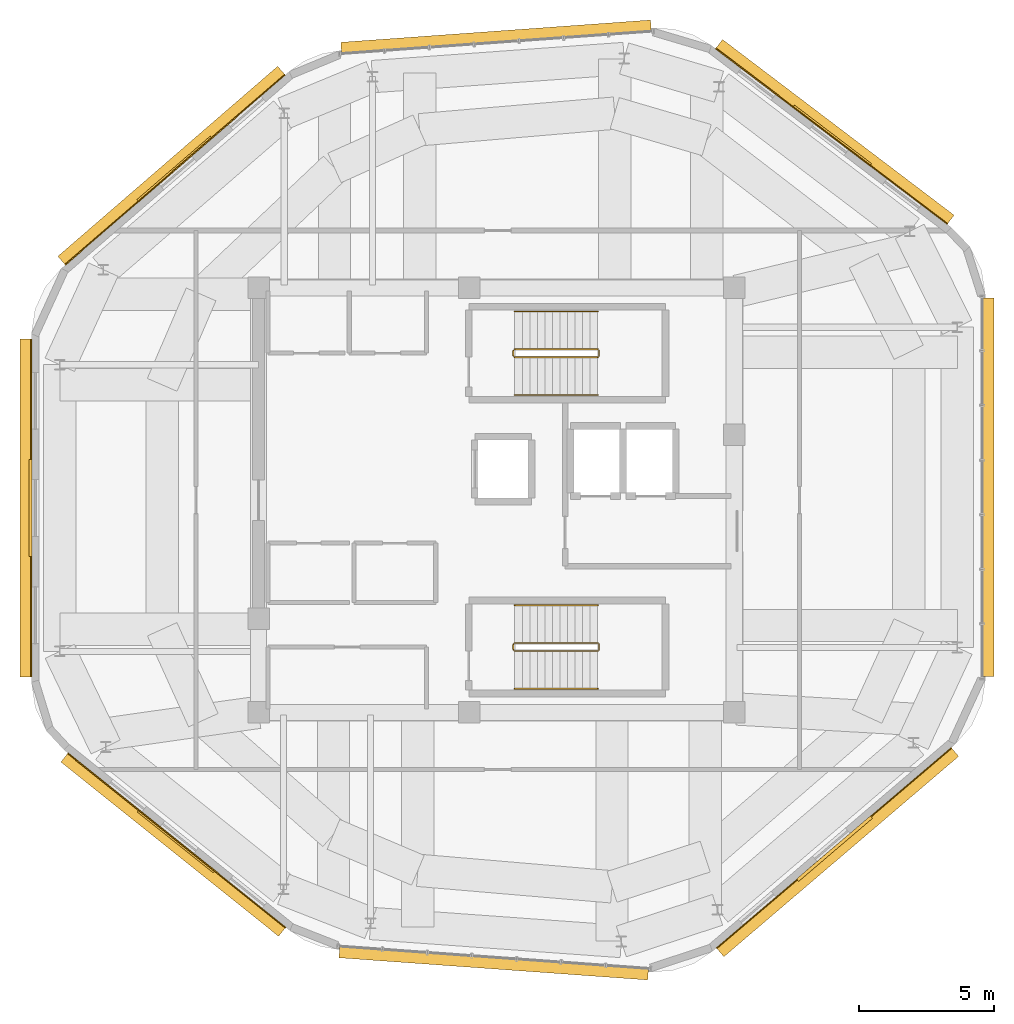
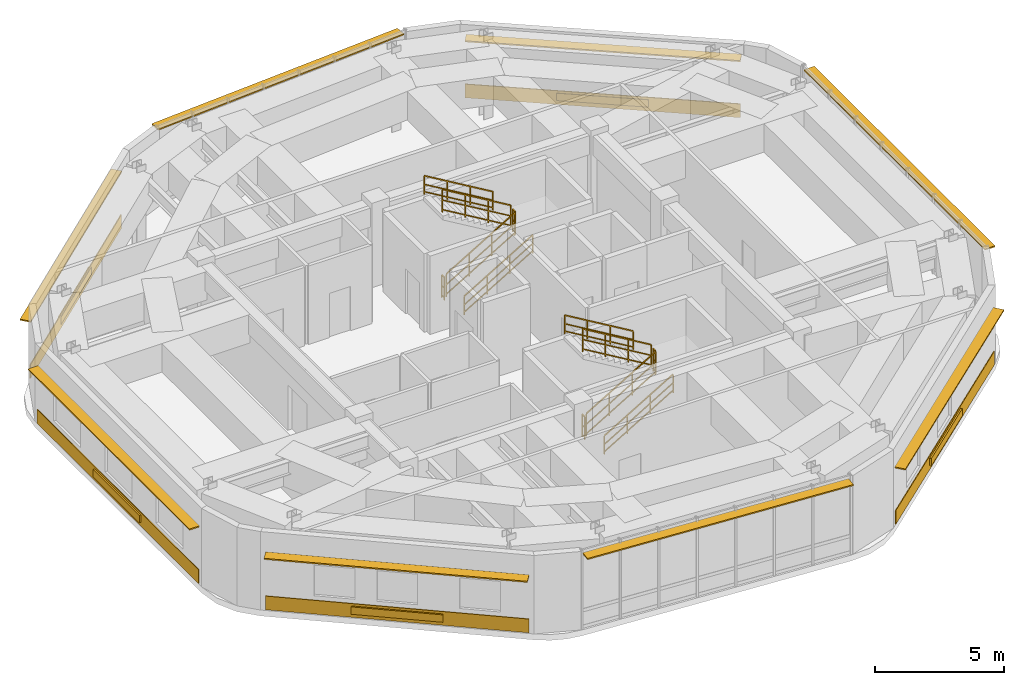
# One storey, part 12 of 12: 13 shading devices, 12 railings, 5 coverings.
"""IFC4 building model written with IfcOpenShell, lengths in metres."""

from ifc_helpers import new_model, si_unit, direction, frame, origin, origin_2d, place, context, subcontext, project, spatial, rectangle, extrude, material, layer, layer_set, type_object, element, save


model = new_model("IFC4")

# Units and contexts
model_context = context("Model", 3, precision=1e-05, world=origin(), true_north=direction((0.0, 1.0)))
body_context = subcontext(model_context, "Body", "Model", "MODEL_VIEW")
ifc_project = project(units=[si_unit("LENGTHUNIT", "METRE"), si_unit("AREAUNIT", "SQUARE_METRE"), si_unit("VOLUMEUNIT", "CUBIC_METRE"), si_unit("PLANEANGLEUNIT", "RADIAN"), si_unit("MASSUNIT", "GRAM", prefix="KILO")], contexts=[model_context])

# Site, building, storey
site_placement = place(None, origin())
site = spatial("IfcSite", under=ifc_project, at=site_placement, CompositionType="ELEMENT")
building_placement = place(site_placement, origin())
building = spatial("IfcBuilding", under=site, at=building_placement, Name="Zulverin Broadcast Headquarters", CompositionType="ELEMENT")
storey_placement = place(building_placement, frame((0.0, 0.0, 325.39990234375)))
storey = spatial("IfcBuildingStorey", under=building, at=storey_placement, Name="C4", CompositionType="ELEMENT", Elevation=325.39990234375)

# Coverings
ifc_material_1 = material(Name="Brushed pale-aluminium rainscreen cladding", Category="aluminium")
ifc_layer_1 = layer(ifc_material_1, 0.0400390625, Name="Brushed pale-aluminium rainscreen cladding", Category="aluminium")
ifc_layer_set_1 = layer_set([ifc_layer_1], Name="Brushed pale-aluminium rainscreen cladding")
covering_type = type_object("IfcCoveringType", Name="COV-CLAD-PALE", PredefinedType="CLADDING", material=ifc_layer_set_1)
covering_1_placement = place(storey_placement, frame((51.976318359375, 12.291259765625, 0.05517578125), z_axis=(0.0, 0.0, 1.0), x_axis=(0.760640550609, 0.649173284085, 0.0)))
element("IfcCovering", 1, at=covering_1_placement, inside=storey, type_object=covering_type, Name="C4 Brushed Pale-Aluminium Spandrel Cladding 2", PredefinedType="CLADDING", context=body_context, shape_type="SweptSolid", body=[
    extrude(rectangle(XDim=11.451904296875, YDim=0.0400390625, at=origin_2d()), origin(), (0.0, 0.0, 1.0), 0.64990234375),
])
covering_2_placement = place(storey_placement, frame((51.885498046875, 38.69970703125, 0.05517578125), z_axis=(0.0, 0.0, 1.0), x_axis=(-0.796691338975, 0.604386391643, 0.0)))
element("IfcCovering", 2, at=covering_2_placement, inside=storey, type_object=covering_type, Name="C4 Brushed Pale-Aluminium Spandrel Cladding 4", PredefinedType="CLADDING", context=body_context, shape_type="SweptSolid", body=[
    extrude(rectangle(XDim=10.78271484375, YDim=0.0400390625, at=origin_2d()), origin(), (0.0, 0.0, 1.0), 0.64990234375),
])
covering_3_placement = place(storey_placement, frame((27.529296875, 37.456787109375, 0.05517578125), z_axis=(0.0, 0.0, 1.0), x_axis=(-0.756470212057, -0.65402814792, 0.0)))
element("IfcCovering", 3, at=covering_3_placement, inside=storey, type_object=covering_type, Name="C4 Brushed Pale-Aluminium Spandrel Cladding 6", PredefinedType="CLADDING", context=body_context, shape_type="SweptSolid", body=[
    extrude(rectangle(XDim=10.77978515625, YDim=0.0400390625, at=origin_2d()), origin(), (0.0, 0.0, 1.0), 0.64990234375),
])
covering_4_placement = place(storey_placement, frame((22.18994140625, 24.90478515625, 0.05517578125), z_axis=(0.0, 0.0, 1.0), x_axis=(0.0, -1.0, 0.0)))
element("IfcCovering", 4, at=covering_4_placement, inside=storey, type_object=covering_type, Name="C4 Brushed Pale-Aluminium Spandrel Cladding 7", PredefinedType="CLADDING", context=body_context, shape_type="SweptSolid", body=[
    extrude(rectangle(XDim=12.53515625, YDim=0.0400390625, at=origin_2d()), origin(), (0.0, 0.0, 1.0), 0.64990234375),
])
covering_5_placement = place(storey_placement, frame((27.58935546875, 12.572998046875, 0.05517578125), z_axis=(0.0, 0.0, 1.0), x_axis=(0.780663881317, -0.624951121615, 0.0)))
element("IfcCovering", 5, at=covering_5_placement, inside=storey, type_object=covering_type, Name="C4 Brushed Pale-Aluminium Spandrel Cladding 8", PredefinedType="CLADDING", context=body_context, shape_type="SweptSolid", body=[
    extrude(rectangle(XDim=10.347900390625, YDim=0.0400390625, at=origin_2d()), origin(), (0.0, 0.0, 1.0), 0.64990234375),
])

# Railings
ifc_material_2 = material(Name="Painted galvanized steel tubular guardrail S355JR", Category="steel")
railing_type_1 = type_object("IfcRailingType", Name="RL-ST-GUARD", PredefinedType="GUARDRAIL", material=ifc_material_2)
railing_1_placement = place(storey_placement, frame((40.1298828125, 30.5, 0.166748046875)))
element("IfcRailing", 6, at=railing_1_placement, inside=storey, type_object=railing_type_1, Name="C4 ST-1 stair guard 1", PredefinedType="GUARDRAIL", context=body_context, shape_type="SweptSolid", body=[
    extrude(rectangle(XDim=0.048095703125, YDim=0.048095703125, at=origin_2d()), frame((0.0, 0.0, 1.076171875), z_axis=(0.859308565015, 0.0, 0.511457515432), x_axis=(0.0, 1.0, 0.0)), (0.0, 0.0, 1.0), 3.58447265625),
    extrude(rectangle(XDim=0.0419921875, YDim=0.0419921875, at=origin_2d()), frame((0.0, 0.0, 0.572021484375), z_axis=(0.859308565015, 0.0, 0.511457515432), x_axis=(0.0, 1.0, 0.0)), (0.0, 0.0, 1.0), 3.58447265625),
    extrude(rectangle(XDim=0.0419921875, YDim=0.0419921875, at=origin_2d()), frame((0.0, 0.0, 0.1201171875), z_axis=(0.859308565015, 0.0, 0.511457515432), x_axis=(0.0, 1.0, 0.0)), (0.0, 0.0, 1.0), 3.58447265625),
    extrude(rectangle(XDim=0.0419921875, YDim=0.0419921875, at=origin_2d()), origin(), (0.0, 0.0, 1.0), 1.052001953125),
    extrude(rectangle(XDim=0.0419921875, YDim=0.0419921875, at=origin_2d()), frame((1.026611328125, 0.0, 0.611083984375)), (0.0, 0.0, 1.0), 1.052001953125),
    extrude(rectangle(XDim=0.0419921875, YDim=0.0419921875, at=origin_2d()), frame((2.053466796875, 0.0, 1.22216796875)), (0.0, 0.0, 1.0), 1.052001953125),
    extrude(rectangle(XDim=0.0419921875, YDim=0.0419921875, at=origin_2d()), frame((3.080078125, 0.0, 1.833251953125)), (0.0, 0.0, 1.0), 1.052001953125),
])
railing_2_placement = place(storey_placement, frame((43.260009765625, 30.550048828125, 2.0)))
element("IfcRailing", 7, at=railing_2_placement, inside=storey, type_object=railing_type_1, Name="C4 ST-1 stair guard 2", PredefinedType="GUARDRAIL", context=body_context, shape_type="SweptSolid", body=[
    extrude(rectangle(XDim=0.048095703125, YDim=0.048095703125, at=origin_2d()), frame((0.0, 0.0, 1.076171875), z_axis=(0.0, 1.0, 0.0), x_axis=(-1.0, 0.0, 0.0)), (0.0, 0.0, 1.0), 0.199951171875),
    extrude(rectangle(XDim=0.0419921875, YDim=0.0419921875, at=origin_2d()), frame((0.0, 0.0, 0.572021484375), z_axis=(0.0, 1.0, 0.0), x_axis=(-1.0, 0.0, 0.0)), (0.0, 0.0, 1.0), 0.199951171875),
    extrude(rectangle(XDim=0.0419921875, YDim=0.0419921875, at=origin_2d()), frame((0.0, 0.0, 0.1201171875), z_axis=(0.0, 1.0, 0.0), x_axis=(-1.0, 0.0, 0.0)), (0.0, 0.0, 1.0), 0.199951171875),
    extrude(rectangle(XDim=0.0419921875, YDim=0.0419921875, at=origin_2d()), origin(), (0.0, 0.0, 1.0), 1.052001953125),
    extrude(rectangle(XDim=0.0419921875, YDim=0.0419921875, at=origin_2d()), frame((0.0, 0.199951171875, 0.0)), (0.0, 0.0, 1.0), 1.052001953125),
])
railing_3_placement = place(storey_placement, frame((43.2099609375, 30.800048828125, 2.166748046875)))
element("IfcRailing", 8, at=railing_3_placement, inside=storey, type_object=railing_type_1, Name="C4 ST-1 stair guard 3", PredefinedType="GUARDRAIL", context=body_context, shape_type="SweptSolid", body=[
    extrude(rectangle(XDim=0.048095703125, YDim=0.048095703125, at=origin_2d()), frame((0.0, 0.0, 1.076171875), z_axis=(-0.859308565015, 0.0, 0.511457515432), x_axis=(0.0, -1.0, 0.0)), (0.0, 0.0, 1.0), 3.58447265625),
    extrude(rectangle(XDim=0.0419921875, YDim=0.0419921875, at=origin_2d()), frame((0.0, 0.0, 0.572021484375), z_axis=(-0.859308565015, 0.0, 0.511457515432), x_axis=(0.0, -1.0, 0.0)), (0.0, 0.0, 1.0), 3.58447265625),
    extrude(rectangle(XDim=0.0419921875, YDim=0.0419921875, at=origin_2d()), frame((0.0, 0.0, 0.1201171875), z_axis=(-0.859308565015, 0.0, 0.511457515432), x_axis=(0.0, -1.0, 0.0)), (0.0, 0.0, 1.0), 3.58447265625),
    extrude(rectangle(XDim=0.0419921875, YDim=0.0419921875, at=origin_2d()), origin(), (0.0, 0.0, 1.0), 1.052001953125),
    extrude(rectangle(XDim=0.0419921875, YDim=0.0419921875, at=origin_2d()), frame((-1.026611328125, 0.0, 0.611083984375)), (0.0, 0.0, 1.0), 1.052001953125),
    extrude(rectangle(XDim=0.0419921875, YDim=0.0419921875, at=origin_2d()), frame((-2.053466796875, 0.0, 1.22216796875)), (0.0, 0.0, 1.0), 1.052001953125),
    extrude(rectangle(XDim=0.0419921875, YDim=0.0419921875, at=origin_2d()), frame((-3.080078125, 0.0, 1.833251953125)), (0.0, 0.0, 1.0), 1.052001953125),
])
railing_4_placement = place(storey_placement, frame((40.080078125, 30.550048828125, 0.0)))
element("IfcRailing", 9, at=railing_4_placement, inside=storey, type_object=railing_type_1, Name="C4 ST-1 stair guard 4", PredefinedType="GUARDRAIL", context=body_context, shape_type="SweptSolid", body=[
    extrude(rectangle(XDim=0.048095703125, YDim=0.048095703125, at=origin_2d()), frame((0.0, 0.0, 1.076171875), z_axis=(0.0, 1.0, 0.0), x_axis=(-1.0, 0.0, 0.0)), (0.0, 0.0, 1.0), 0.199951171875),
    extrude(rectangle(XDim=0.0419921875, YDim=0.0419921875, at=origin_2d()), frame((0.0, 0.0, 0.572021484375), z_axis=(0.0, 1.0, 0.0), x_axis=(-1.0, 0.0, 0.0)), (0.0, 0.0, 1.0), 0.199951171875),
    extrude(rectangle(XDim=0.0419921875, YDim=0.0419921875, at=origin_2d()), frame((0.0, 0.0, 0.1201171875), z_axis=(0.0, 1.0, 0.0), x_axis=(-1.0, 0.0, 0.0)), (0.0, 0.0, 1.0), 0.199951171875),
    extrude(rectangle(XDim=0.0419921875, YDim=0.0419921875, at=origin_2d()), origin(), (0.0, 0.0, 1.0), 1.052001953125),
    extrude(rectangle(XDim=0.0419921875, YDim=0.0419921875, at=origin_2d()), frame((0.0, 0.199951171875, 0.0)), (0.0, 0.0, 1.0), 1.052001953125),
])
railing_5_placement = place(storey_placement, frame((40.1298828125, 19.60009765625, 0.166748046875)))
element("IfcRailing", 10, at=railing_5_placement, inside=storey, type_object=railing_type_1, Name="C4 ST-2 stair guard 1", PredefinedType="GUARDRAIL", context=body_context, shape_type="SweptSolid", body=[
    extrude(rectangle(XDim=0.048095703125, YDim=0.048095703125, at=origin_2d()), frame((0.0, 0.0, 1.076171875), z_axis=(0.859308565015, 0.0, 0.511457515432), x_axis=(0.0, 1.0, 0.0)), (0.0, 0.0, 1.0), 3.58447265625),
    extrude(rectangle(XDim=0.0419921875, YDim=0.0419921875, at=origin_2d()), frame((0.0, 0.0, 0.572021484375), z_axis=(0.859308565015, 0.0, 0.511457515432), x_axis=(0.0, 1.0, 0.0)), (0.0, 0.0, 1.0), 3.58447265625),
    extrude(rectangle(XDim=0.0419921875, YDim=0.0419921875, at=origin_2d()), frame((0.0, 0.0, 0.1201171875), z_axis=(0.859308565015, 0.0, 0.511457515432), x_axis=(0.0, 1.0, 0.0)), (0.0, 0.0, 1.0), 3.58447265625),
    extrude(rectangle(XDim=0.0419921875, YDim=0.0419921875, at=origin_2d()), origin(), (0.0, 0.0, 1.0), 1.052001953125),
    extrude(rectangle(XDim=0.0419921875, YDim=0.0419921875, at=origin_2d()), frame((1.026611328125, 0.0, 0.611083984375)), (0.0, 0.0, 1.0), 1.052001953125),
    extrude(rectangle(XDim=0.0419921875, YDim=0.0419921875, at=origin_2d()), frame((2.053466796875, 0.0, 1.22216796875)), (0.0, 0.0, 1.0), 1.052001953125),
    extrude(rectangle(XDim=0.0419921875, YDim=0.0419921875, at=origin_2d()), frame((3.080078125, 0.0, 1.833251953125)), (0.0, 0.0, 1.0), 1.052001953125),
])
railing_6_placement = place(storey_placement, frame((43.260009765625, 19.64990234375, 2.0)))
element("IfcRailing", 11, at=railing_6_placement, inside=storey, type_object=railing_type_1, Name="C4 ST-2 stair guard 2", PredefinedType="GUARDRAIL", context=body_context, shape_type="SweptSolid", body=[
    extrude(rectangle(XDim=0.048095703125, YDim=0.048095703125, at=origin_2d()), frame((0.0, 0.0, 1.076171875), z_axis=(0.0, 1.0, 0.0), x_axis=(-1.0, 0.0, 0.0)), (0.0, 0.0, 1.0), 0.2001953125),
    extrude(rectangle(XDim=0.0419921875, YDim=0.0419921875, at=origin_2d()), frame((0.0, 0.0, 0.572021484375), z_axis=(0.0, 1.0, 0.0), x_axis=(-1.0, 0.0, 0.0)), (0.0, 0.0, 1.0), 0.2001953125),
    extrude(rectangle(XDim=0.0419921875, YDim=0.0419921875, at=origin_2d()), frame((0.0, 0.0, 0.1201171875), z_axis=(0.0, 1.0, 0.0), x_axis=(-1.0, 0.0, 0.0)), (0.0, 0.0, 1.0), 0.2001953125),
    extrude(rectangle(XDim=0.0419921875, YDim=0.0419921875, at=origin_2d()), origin(), (0.0, 0.0, 1.0), 1.052001953125),
    extrude(rectangle(XDim=0.0419921875, YDim=0.0419921875, at=origin_2d()), frame((0.0, 0.2001953125, 0.0)), (0.0, 0.0, 1.0), 1.052001953125),
])
railing_7_placement = place(storey_placement, frame((43.2099609375, 19.89990234375, 2.166748046875)))
element("IfcRailing", 12, at=railing_7_placement, inside=storey, type_object=railing_type_1, Name="C4 ST-2 stair guard 3", PredefinedType="GUARDRAIL", context=body_context, shape_type="SweptSolid", body=[
    extrude(rectangle(XDim=0.048095703125, YDim=0.048095703125, at=origin_2d()), frame((0.0, 0.0, 1.076171875), z_axis=(-0.859308565015, 0.0, 0.511457515432), x_axis=(0.0, -1.0, 0.0)), (0.0, 0.0, 1.0), 3.58447265625),
    extrude(rectangle(XDim=0.0419921875, YDim=0.0419921875, at=origin_2d()), frame((0.0, 0.0, 0.572021484375), z_axis=(-0.859308565015, 0.0, 0.511457515432), x_axis=(0.0, -1.0, 0.0)), (0.0, 0.0, 1.0), 3.58447265625),
    extrude(rectangle(XDim=0.0419921875, YDim=0.0419921875, at=origin_2d()), frame((0.0, 0.0, 0.1201171875), z_axis=(-0.859308565015, 0.0, 0.511457515432), x_axis=(0.0, -1.0, 0.0)), (0.0, 0.0, 1.0), 3.58447265625),
    extrude(rectangle(XDim=0.0419921875, YDim=0.0419921875, at=origin_2d()), origin(), (0.0, 0.0, 1.0), 1.052001953125),
    extrude(rectangle(XDim=0.0419921875, YDim=0.0419921875, at=origin_2d()), frame((-1.026611328125, 0.0, 0.611083984375)), (0.0, 0.0, 1.0), 1.052001953125),
    extrude(rectangle(XDim=0.0419921875, YDim=0.0419921875, at=origin_2d()), frame((-2.053466796875, 0.0, 1.22216796875)), (0.0, 0.0, 1.0), 1.052001953125),
    extrude(rectangle(XDim=0.0419921875, YDim=0.0419921875, at=origin_2d()), frame((-3.080078125, 0.0, 1.833251953125)), (0.0, 0.0, 1.0), 1.052001953125),
])
railing_8_placement = place(storey_placement, frame((40.080078125, 19.64990234375, 0.0)))
element("IfcRailing", 13, at=railing_8_placement, inside=storey, type_object=railing_type_1, Name="C4 ST-2 stair guard 4", PredefinedType="GUARDRAIL", context=body_context, shape_type="SweptSolid", body=[
    extrude(rectangle(XDim=0.048095703125, YDim=0.048095703125, at=origin_2d()), frame((0.0, 0.0, 1.076171875), z_axis=(0.0, 1.0, 0.0), x_axis=(-1.0, 0.0, 0.0)), (0.0, 0.0, 1.0), 0.2001953125),
    extrude(rectangle(XDim=0.0419921875, YDim=0.0419921875, at=origin_2d()), frame((0.0, 0.0, 0.572021484375), z_axis=(0.0, 1.0, 0.0), x_axis=(-1.0, 0.0, 0.0)), (0.0, 0.0, 1.0), 0.2001953125),
    extrude(rectangle(XDim=0.0419921875, YDim=0.0419921875, at=origin_2d()), frame((0.0, 0.0, 0.1201171875), z_axis=(0.0, 1.0, 0.0), x_axis=(-1.0, 0.0, 0.0)), (0.0, 0.0, 1.0), 0.2001953125),
    extrude(rectangle(XDim=0.0419921875, YDim=0.0419921875, at=origin_2d()), origin(), (0.0, 0.0, 1.0), 1.052001953125),
    extrude(rectangle(XDim=0.0419921875, YDim=0.0419921875, at=origin_2d()), frame((0.0, 0.2001953125, 0.0)), (0.0, 0.0, 1.0), 1.052001953125),
])
ifc_material_3 = material(Name="Brushed stainless steel 48 mm handrail", Category="steel")
railing_type_2 = type_object("IfcRailingType", Name="RL-ST-HAND", PredefinedType="HANDRAIL", material=ifc_material_3)
railing_9_placement = place(storey_placement, frame((40.1298828125, 29.10009765625, 0.166748046875)))
element("IfcRailing", 14, at=railing_9_placement, inside=storey, type_object=railing_type_2, Name="C4 ST-1 stair handrail 1", PredefinedType="HANDRAIL", context=body_context, shape_type="SweptSolid", body=[
    extrude(rectangle(XDim=0.048095703125, YDim=0.048095703125, at=origin_2d()), frame((0.0, 0.0, 0.8759765625), z_axis=(0.859308565015, 0.0, 0.511457515432), x_axis=(0.0, 1.0, 0.0)), (0.0, 0.0, 1.0), 3.58447265625),
    extrude(rectangle(XDim=0.0419921875, YDim=0.0419921875, at=origin_2d()), frame((0.0, 0.0, 0.468017578125), z_axis=(0.859308565015, 0.0, 0.511457515432), x_axis=(0.0, 1.0, 0.0)), (0.0, 0.0, 1.0), 3.58447265625),
    extrude(rectangle(XDim=0.0419921875, YDim=0.0419921875, at=origin_2d()), frame((0.0, 0.0, 0.1201171875), z_axis=(0.859308565015, 0.0, 0.511457515432), x_axis=(0.0, 1.0, 0.0)), (0.0, 0.0, 1.0), 3.58447265625),
    extrude(rectangle(XDim=0.0419921875, YDim=0.0419921875, at=origin_2d()), origin(), (0.0, 0.0, 1.0), 0.851806640625),
    extrude(rectangle(XDim=0.0419921875, YDim=0.0419921875, at=origin_2d()), frame((1.026611328125, 0.0, 0.611083984375)), (0.0, 0.0, 1.0), 0.851806640625),
    extrude(rectangle(XDim=0.0419921875, YDim=0.0419921875, at=origin_2d()), frame((2.053466796875, 0.0, 1.22216796875)), (0.0, 0.0, 1.0), 0.851806640625),
    extrude(rectangle(XDim=0.0419921875, YDim=0.0419921875, at=origin_2d()), frame((3.080078125, 0.0, 1.833251953125)), (0.0, 0.0, 1.0), 0.851806640625),
])
railing_10_placement = place(storey_placement, frame((43.2099609375, 32.199951171875, 2.166748046875)))
element("IfcRailing", 15, at=railing_10_placement, inside=storey, type_object=railing_type_2, Name="C4 ST-1 stair handrail 2", PredefinedType="HANDRAIL", context=body_context, shape_type="SweptSolid", body=[
    extrude(rectangle(XDim=0.048095703125, YDim=0.048095703125, at=origin_2d()), frame((0.0, 0.0, 0.8759765625), z_axis=(-0.859308565015, 0.0, 0.511457515432), x_axis=(0.0, -1.0, 0.0)), (0.0, 0.0, 1.0), 3.58447265625),
    extrude(rectangle(XDim=0.0419921875, YDim=0.0419921875, at=origin_2d()), frame((0.0, 0.0, 0.468017578125), z_axis=(-0.859308565015, 0.0, 0.511457515432), x_axis=(0.0, -1.0, 0.0)), (0.0, 0.0, 1.0), 3.58447265625),
    extrude(rectangle(XDim=0.0419921875, YDim=0.0419921875, at=origin_2d()), frame((0.0, 0.0, 0.1201171875), z_axis=(-0.859308565015, 0.0, 0.511457515432), x_axis=(0.0, -1.0, 0.0)), (0.0, 0.0, 1.0), 3.58447265625),
    extrude(rectangle(XDim=0.0419921875, YDim=0.0419921875, at=origin_2d()), origin(), (0.0, 0.0, 1.0), 0.851806640625),
    extrude(rectangle(XDim=0.0419921875, YDim=0.0419921875, at=origin_2d()), frame((-1.026611328125, 0.0, 0.611083984375)), (0.0, 0.0, 1.0), 0.851806640625),
    extrude(rectangle(XDim=0.0419921875, YDim=0.0419921875, at=origin_2d()), frame((-2.053466796875, 0.0, 1.22216796875)), (0.0, 0.0, 1.0), 0.851806640625),
    extrude(rectangle(XDim=0.0419921875, YDim=0.0419921875, at=origin_2d()), frame((-3.080078125, 0.0, 1.833251953125)), (0.0, 0.0, 1.0), 0.851806640625),
])
railing_11_placement = place(storey_placement, frame((40.1298828125, 18.199951171875, 0.166748046875)))
element("IfcRailing", 16, at=railing_11_placement, inside=storey, type_object=railing_type_2, Name="C4 ST-2 stair handrail 1", PredefinedType="HANDRAIL", context=body_context, shape_type="SweptSolid", body=[
    extrude(rectangle(XDim=0.048095703125, YDim=0.048095703125, at=origin_2d()), frame((0.0, 0.0, 0.8759765625), z_axis=(0.859308565015, 0.0, 0.511457515432), x_axis=(0.0, 1.0, 0.0)), (0.0, 0.0, 1.0), 3.58447265625),
    extrude(rectangle(XDim=0.0419921875, YDim=0.0419921875, at=origin_2d()), frame((0.0, 0.0, 0.468017578125), z_axis=(0.859308565015, 0.0, 0.511457515432), x_axis=(0.0, 1.0, 0.0)), (0.0, 0.0, 1.0), 3.58447265625),
    extrude(rectangle(XDim=0.0419921875, YDim=0.0419921875, at=origin_2d()), frame((0.0, 0.0, 0.1201171875), z_axis=(0.859308565015, 0.0, 0.511457515432), x_axis=(0.0, 1.0, 0.0)), (0.0, 0.0, 1.0), 3.58447265625),
    extrude(rectangle(XDim=0.0419921875, YDim=0.0419921875, at=origin_2d()), origin(), (0.0, 0.0, 1.0), 0.851806640625),
    extrude(rectangle(XDim=0.0419921875, YDim=0.0419921875, at=origin_2d()), frame((1.026611328125, 0.0, 0.611083984375)), (0.0, 0.0, 1.0), 0.851806640625),
    extrude(rectangle(XDim=0.0419921875, YDim=0.0419921875, at=origin_2d()), frame((2.053466796875, 0.0, 1.22216796875)), (0.0, 0.0, 1.0), 0.851806640625),
    extrude(rectangle(XDim=0.0419921875, YDim=0.0419921875, at=origin_2d()), frame((3.080078125, 0.0, 1.833251953125)), (0.0, 0.0, 1.0), 0.851806640625),
])
railing_12_placement = place(storey_placement, frame((43.2099609375, 21.300048828125, 2.166748046875)))
element("IfcRailing", 17, at=railing_12_placement, inside=storey, type_object=railing_type_2, Name="C4 ST-2 stair handrail 2", PredefinedType="HANDRAIL", context=body_context, shape_type="SweptSolid", body=[
    extrude(rectangle(XDim=0.048095703125, YDim=0.048095703125, at=origin_2d()), frame((0.0, 0.0, 0.8759765625), z_axis=(-0.859308565015, 0.0, 0.511457515432), x_axis=(0.0, -1.0, 0.0)), (0.0, 0.0, 1.0), 3.58447265625),
    extrude(rectangle(XDim=0.0419921875, YDim=0.0419921875, at=origin_2d()), frame((0.0, 0.0, 0.468017578125), z_axis=(-0.859308565015, 0.0, 0.511457515432), x_axis=(0.0, -1.0, 0.0)), (0.0, 0.0, 1.0), 3.58447265625),
    extrude(rectangle(XDim=0.0419921875, YDim=0.0419921875, at=origin_2d()), frame((0.0, 0.0, 0.1201171875), z_axis=(-0.859308565015, 0.0, 0.511457515432), x_axis=(0.0, -1.0, 0.0)), (0.0, 0.0, 1.0), 3.58447265625),
    extrude(rectangle(XDim=0.0419921875, YDim=0.0419921875, at=origin_2d()), origin(), (0.0, 0.0, 1.0), 0.851806640625),
    extrude(rectangle(XDim=0.0419921875, YDim=0.0419921875, at=origin_2d()), frame((-1.026611328125, 0.0, 0.611083984375)), (0.0, 0.0, 1.0), 0.851806640625),
    extrude(rectangle(XDim=0.0419921875, YDim=0.0419921875, at=origin_2d()), frame((-2.053466796875, 0.0, 1.22216796875)), (0.0, 0.0, 1.0), 0.851806640625),
    extrude(rectangle(XDim=0.0419921875, YDim=0.0419921875, at=origin_2d()), frame((-3.080078125, 0.0, 1.833251953125)), (0.0, 0.0, 1.0), 0.851806640625),
])

# Shading devices
ifc_material_4 = material(Name="Anodized pale-metal aluminium acoustic louvre", Category="aluminium")
shading_device_type_1 = type_object("IfcShadingDeviceType", Name="SHD-LOUVRE-350", PredefinedType="USERDEFINED", material=ifc_material_4)
for number, where, z_axis, x_axis, name in (
    (18, (51.99560546875, 12.2685546875, 0.2451171875), (0.0, 0.0, 1.0), (0.760640550609, 0.649173284085, 0.0), "C4 Spandrel Intake Louvre 2"),
    (19, (51.903564453125, 38.7236328125, 0.2451171875), (0.0, 0.0, 1.0), (-0.796691338975, 0.604386391643, 0.0), "C4 Spandrel Intake Louvre 4"),
    (20, (27.509521484375, 37.4794921875, 0.2451171875), (0.0, 0.0, 1.0), (-0.756470212057, -0.65402814792, 0.0), "C4 Spandrel Intake Louvre 6"),
    (21, (22.159912109375, 24.90478515625, 0.2451171875), (0.0, 0.0, 1.0), (0.0, -1.0, 0.0), "C4 Spandrel Intake Louvre 7"),
    (22, (27.570556640625, 12.549560546875, 0.2451171875), (0.0, 0.0, 1.0), (0.780663881317, -0.624951121615, 0.0), "C4 Spandrel Intake Louvre 8"),
):
    element("IfcShadingDevice", number, at=place(storey_placement, frame(where, z_axis=z_axis, x_axis=x_axis)), inside=storey, type_object=shading_device_type_1, Name=name, ObjectType="LOUVRE", PredefinedType="USERDEFINED", context=body_context, shape_type="SweptSolid", body=[
        extrude(rectangle(XDim=3.60009765625, YDim=0.1201171875, at=origin_2d()), origin(), (0.0, 0.0, 1.0), 0.35009765625),
    ])
ifc_material_5 = material(Name="Anodized pale-metal aluminium sunshade", Category="aluminium")
ifc_layer_2 = layer(ifc_material_5, 0.06005859375, Name="Anodized pale-metal aluminium sunshade", Category="aluminium")
ifc_layer_set_2 = layer_set([ifc_layer_2], Name="Anodized pale-metal aluminium sunshade")
shading_device_type_2 = type_object("IfcShadingDeviceType", Name="SS-01_PALE_METAL_ALUMINIUM_SUNSHADE", PredefinedType="USERDEFINED", material=ifc_layer_set_2)
shading_device_1_placement = place(storey_placement, frame((39.352294921875, 8.031494140625, 3.489990234375), z_axis=(0.0, 0.0, 1.0), x_axis=(0.997420903458, -0.071774238726, 0.0)))
element("IfcShadingDevice", 23, at=shading_device_1_placement, inside=storey, type_object=shading_device_type_2, Name="C4 Pale-Metal Horizontal Sunshade Band CW-C4-E1", ObjectType="SUNSHADE", PredefinedType="USERDEFINED", context=body_context, shape_type="SweptSolid", body=[
    extrude(rectangle(XDim=11.484130859375, YDim=0.449951171875, at=origin_2d()), origin(), (0.0, 0.0, 1.0), 0.06005859375),
])
shading_device_2_placement = place(storey_placement, frame((52.099609375, 12.146728515625, 2.7099609375), z_axis=(0.0, 0.0, 1.0), x_axis=(0.760640550609, 0.649173284085, 0.0)))
element("IfcShadingDevice", 24, at=shading_device_2_placement, inside=storey, type_object=shading_device_type_2, Name="C4 Horizontal Pale-Metal Sunshade Band 2", ObjectType="SUNSHADE", PredefinedType="USERDEFINED", context=body_context, shape_type="SweptSolid", body=[
    extrude(rectangle(XDim=11.451904296875, YDim=0.449951171875, at=origin_2d()), origin(), (0.0, 0.0, 1.0), 0.06005859375),
])
shading_device_3_placement = place(storey_placement, frame((57.679931640625, 25.67138671875, 3.489990234375), z_axis=(0.0, 0.0, 1.0), x_axis=(0.0, 1.0, 0.0)))
element("IfcShadingDevice", 25, at=shading_device_3_placement, inside=storey, type_object=shading_device_type_2, Name="C4 Pale-Metal Horizontal Sunshade Band CW-C4-E3", ObjectType="SUNSHADE", PredefinedType="USERDEFINED", context=body_context, shape_type="SweptSolid", body=[
    extrude(rectangle(XDim=14.043212890625, YDim=0.449951171875, at=origin_2d()), origin(), (0.0, 0.0, 1.0), 0.06005859375),
])
shading_device_4_placement = place(storey_placement, frame((52.000244140625, 38.85107421875, 2.7099609375), z_axis=(0.0, 0.0, 1.0), x_axis=(-0.796691338975, 0.604386391643, 0.0)))
element("IfcShadingDevice", 26, at=shading_device_4_placement, inside=storey, type_object=shading_device_type_2, Name="C4 Horizontal Pale-Metal Sunshade Band 4", ObjectType="SUNSHADE", PredefinedType="USERDEFINED", context=body_context, shape_type="SweptSolid", body=[
    extrude(rectangle(XDim=10.78271484375, YDim=0.449951171875, at=origin_2d()), origin(), (0.0, 0.0, 1.0), 0.06005859375),
])
shading_device_5_placement = place(storey_placement, frame((39.438720703125, 42.37451171875, 3.489990234375), z_axis=(0.0, 0.0, 1.0), x_axis=(-0.997421153991, -0.071770757069, 0.0)))
element("IfcShadingDevice", 27, at=shading_device_5_placement, inside=storey, type_object=shading_device_type_2, Name="C4 Pale-Metal Horizontal Sunshade Band CW-C4-E5", ObjectType="SUNSHADE", PredefinedType="USERDEFINED", context=body_context, shape_type="SweptSolid", body=[
    extrude(rectangle(XDim=11.523681640625, YDim=0.449951171875, at=origin_2d()), origin(), (0.0, 0.0, 1.0), 0.06005859375),
])
shading_device_6_placement = place(storey_placement, frame((27.40478515625, 37.6005859375, 2.7099609375), z_axis=(0.0, 0.0, 1.0), x_axis=(-0.756470212057, -0.65402814792, 0.0)))
element("IfcShadingDevice", 28, at=shading_device_6_placement, inside=storey, type_object=shading_device_type_2, Name="C4 Horizontal Pale-Metal Sunshade Band 6", ObjectType="SUNSHADE", PredefinedType="USERDEFINED", context=body_context, shape_type="SweptSolid", body=[
    extrude(rectangle(XDim=10.77978515625, YDim=0.449951171875, at=origin_2d()), origin(), (0.0, 0.0, 1.0), 0.06005859375),
])
shading_device_7_placement = place(storey_placement, frame((22.0, 24.90478515625, 2.7099609375), z_axis=(0.0, 0.0, 1.0), x_axis=(0.0, -1.0, 0.0)))
element("IfcShadingDevice", 29, at=shading_device_7_placement, inside=storey, type_object=shading_device_type_2, Name="C4 Horizontal Pale-Metal Sunshade Band 7", ObjectType="SUNSHADE", PredefinedType="USERDEFINED", context=body_context, shape_type="SweptSolid", body=[
    extrude(rectangle(XDim=12.53515625, YDim=0.449951171875, at=origin_2d()), origin(), (0.0, 0.0, 1.0), 0.06005859375),
])
shading_device_8_placement = place(storey_placement, frame((27.470458984375, 12.424560546875, 2.7099609375), z_axis=(0.0, 0.0, 1.0), x_axis=(0.780663881317, -0.624951121615, 0.0)))
element("IfcShadingDevice", 30, at=shading_device_8_placement, inside=storey, type_object=shading_device_type_2, Name="C4 Horizontal Pale-Metal Sunshade Band 8", ObjectType="SUNSHADE", PredefinedType="USERDEFINED", context=body_context, shape_type="SweptSolid", body=[
    extrude(rectangle(XDim=10.347900390625, YDim=0.449951171875, at=origin_2d()), origin(), (0.0, 0.0, 1.0), 0.06005859375),
])

save(model, "model.ifc")
